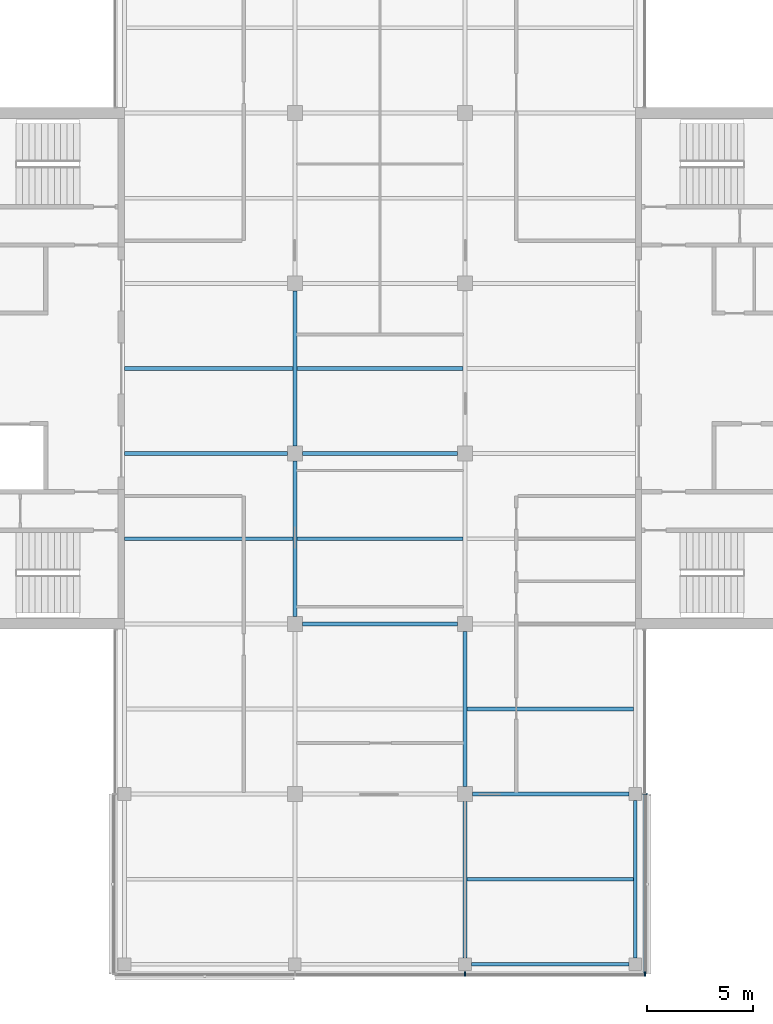
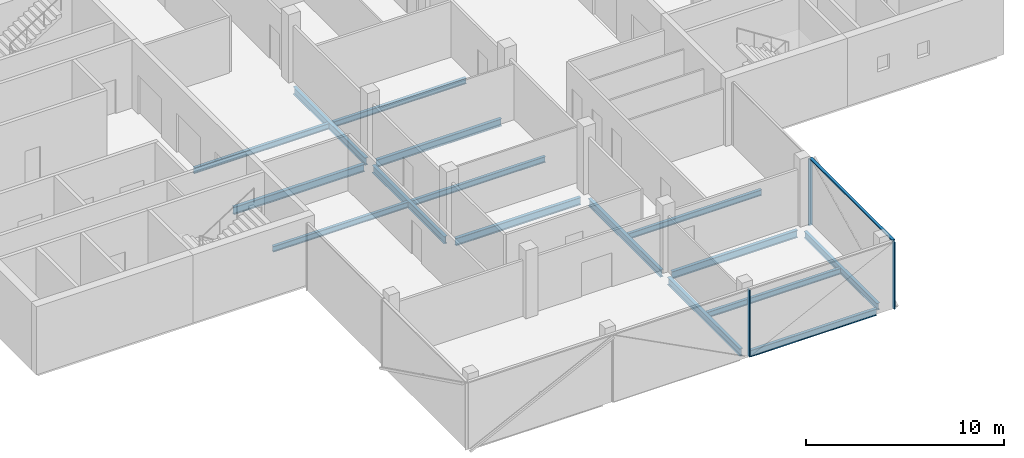
# One storey, part 3 of 15: 16 beams, 4 members, 2 elements without a shape of their own.
"""IFC4 building model written with IfcOpenShell, lengths in metres."""

from ifc_helpers import new_model, si_unit, direction, frame, origin, origin_2d, place, context, subcontext, project, spatial, rectangle, i_section, extrude, material, material_profile, profile_set, type_object, element, aggregate, save


model = new_model("IFC4")

# Units and contexts
model_context = context("Model", 3, precision=1e-05, world=origin(), true_north=direction((0.0, 1.0)))
body_context = subcontext(model_context, "Body", "Model", "MODEL_VIEW")
ifc_project = project(units=[si_unit("LENGTHUNIT", "METRE"), si_unit("AREAUNIT", "SQUARE_METRE"), si_unit("VOLUMEUNIT", "CUBIC_METRE"), si_unit("PLANEANGLEUNIT", "RADIAN"), si_unit("MASSUNIT", "GRAM", prefix="KILO")], contexts=[model_context])

# Site, building, storey
site_placement = place(None, origin())
site = spatial("IfcSite", under=ifc_project, at=site_placement, CompositionType="ELEMENT")
building_placement = place(site_placement, origin())
building = spatial("IfcBuilding", under=site, at=building_placement, Name="Crosswind Convention Tower", CompositionType="ELEMENT")
storey_placement = place(building_placement, frame((0.0, 0.0, 257.699951171875)))
storey = spatial("IfcBuildingStorey", under=building, at=storey_placement, Name="L55", CompositionType="ELEMENT", Elevation=257.699951171875)

# Beams
ifc_material_1 = material(Name="Steel S355", Category="steel")
ifc_material_profile_1 = material_profile(ifc_material_1, i_section(OverallWidth=0.177734375, OverallDepth=0.406494140625, WebThickness=0.0078125, FlangeThickness=0.0126953125, FilletRadius=0.01025390625, at=origin_2d()), Name="UB 406x178x60")
ifc_profile_set_1 = profile_set([ifc_material_profile_1], Name="Steel S355")
beam_type_1 = type_object("IfcBeamType", Name="Edge beam UB 406x178x60", PredefinedType="SPANDREL", material=ifc_profile_set_1)
for number, where, z_axis, x_axis, name in (
    (1, (129.300048828125, 72.0, -0.503173828125), (1.0, 0.0, 0.0), (0.0, 1.0, 0.0), "B15 L55 edge beam 9"),
    (2, (137.0, 72.300048828125, -0.503173828125), (0.0, 1.0, 0.0), (-1.0, 0.0, 0.0), "B15 L55 edge beam 11"),
):
    element("IfcBeam", number, at=place(storey_placement, frame(where, z_axis=z_axis, x_axis=x_axis)), inside=storey, type_object=beam_type_1, Name=name, PredefinedType="SPANDREL", context=body_context, shape_type="SweptSolid", body=[
        extrude(i_section(OverallWidth=0.177734375, OverallDepth=0.406494140625, WebThickness=0.0078125, FlangeThickness=0.0126953125, FilletRadius=0.01025390625, at=origin_2d()), origin(), (0.0, 0.0, 1.0), 7.39990234375),
    ])
ifc_material_profile_2 = material_profile(ifc_material_1, i_section(OverallWidth=0.18994140625, OverallDepth=0.45361328125, WebThickness=0.008544921875, FlangeThickness=0.0126953125, FilletRadius=0.01025390625, at=origin_2d()), Name="UB 457x191x67")
ifc_profile_set_2 = profile_set([ifc_material_profile_2], Name="Steel S355")
beam_type_2 = type_object("IfcBeamType", Name="Girder UB 457x191x67", PredefinedType="BEAM", material=ifc_profile_set_2)
for number, where, z_axis, x_axis, name in (
    (3, (121.0, 88.35009765625, -0.52685546875), (0.0, 1.0, 0.0), (-1.0, 0.0, 0.0), "B1 L55 girder 5"),
    (4, (121.0, 96.35009765625, -0.52685546875), (0.0, 1.0, 0.0), (-1.0, 0.0, 0.0), "B1 L55 girder 6"),
    (5, (121.35009765625, 88.0, -0.52685546875), (1.0, 0.0, 0.0), (0.0, 1.0, 0.0), "B1 L55 girder 11"),
    (6, (121.35009765625, 96.0, -0.52685546875), (1.0, 0.0, 0.0), (0.0, 1.0, 0.0), "B1 L55 girder 12"),
):
    element("IfcBeam", number, at=place(storey_placement, frame(where, z_axis=z_axis, x_axis=x_axis)), inside=storey, type_object=beam_type_2, Name=name, PredefinedType="BEAM", context=body_context, shape_type="SweptSolid", body=[
        extrude(i_section(OverallWidth=0.18994140625, OverallDepth=0.45361328125, WebThickness=0.008544921875, FlangeThickness=0.0126953125, FilletRadius=0.01025390625, at=origin_2d()), origin(), (0.0, 0.0, 1.0), 7.2998046875),
    ])
beam_1_placement = place(storey_placement, frame((129.0, 72.300048828125, -0.52685546875), z_axis=(0.0, 1.0, 0.0), x_axis=(-1.0, 0.0, 0.0)))
element("IfcBeam", 7, at=beam_1_placement, inside=storey, type_object=beam_type_2, Name="B1 L55 girder 16", PredefinedType="BEAM", context=body_context, shape_type="SweptSolid", body=[
    extrude(i_section(OverallWidth=0.18994140625, OverallDepth=0.45361328125, WebThickness=0.008544921875, FlangeThickness=0.0126953125, FilletRadius=0.01025390625, at=origin_2d()), origin(), (0.0, 0.0, 1.0), 7.349853515625),
])
beam_2_placement = place(storey_placement, frame((129.0, 80.35009765625, -0.52685546875), z_axis=(0.0, 1.0, 0.0), x_axis=(-1.0, 0.0, 0.0)))
element("IfcBeam", 8, at=beam_2_placement, inside=storey, type_object=beam_type_2, Name="B1 L55 girder 17", PredefinedType="BEAM", context=body_context, shape_type="SweptSolid", body=[
    extrude(i_section(OverallWidth=0.18994140625, OverallDepth=0.45361328125, WebThickness=0.008544921875, FlangeThickness=0.0126953125, FilletRadius=0.01025390625, at=origin_2d()), origin(), (0.0, 0.0, 1.0), 7.2998046875),
])
beam_3_placement = place(storey_placement, frame((129.35009765625, 80.0, -0.52685546875), z_axis=(1.0, 0.0, 0.0), x_axis=(0.0, 1.0, 0.0)))
element("IfcBeam", 9, at=beam_3_placement, inside=storey, type_object=beam_type_2, Name="B1 L55 girder 23", PredefinedType="BEAM", context=body_context, shape_type="SweptSolid", body=[
    extrude(i_section(OverallWidth=0.18994140625, OverallDepth=0.45361328125, WebThickness=0.008544921875, FlangeThickness=0.0126953125, FilletRadius=0.01025390625, at=origin_2d()), origin(), (0.0, 0.0, 1.0), 7.349853515625),
])
ifc_material_profile_3 = material_profile(ifc_material_1, i_section(OverallWidth=0.1904296875, OverallDepth=0.457275390625, WebThickness=0.009033203125, FlangeThickness=0.014404296875, FilletRadius=0.01025390625, at=origin_2d()), Name="UB 457x191x75")
ifc_profile_set_3 = profile_set([ifc_material_profile_3], Name="Steel S355")
beam_type_3 = type_object("IfcBeamType", Name="Girder at core wall UB 457x191x75", PredefinedType="BEAM", material=ifc_profile_set_3)
beam_4_placement = place(storey_placement, frame((113.0, 96.0, -0.528564453125), z_axis=(1.0, 0.0, 0.0), x_axis=(0.0, 1.0, 0.0)))
element("IfcBeam", 10, at=beam_4_placement, inside=storey, type_object=beam_type_3, Name="B22 L55 girder at core wall 2", PredefinedType="BEAM", context=body_context, shape_type="SweptSolid", body=[
    extrude(i_section(OverallWidth=0.1904296875, OverallDepth=0.457275390625, WebThickness=0.009033203125, FlangeThickness=0.014404296875, FilletRadius=0.01025390625, at=origin_2d()), origin(), (0.0, 0.0, 1.0), 7.64990234375),
])

# Curtain wall, members
ifc_material_2 = material(Name="Aluminium unitised curtain wall", Category="aluminium")
curtain_wall_type = type_object("IfcCurtainWallType", Name="OFFICE UNITISED WALL 220", PredefinedType="USERDEFINED", material=ifc_material_2)
curtain_wall_1_placement = place(storey_placement, origin())
curtain_wall_1 = element("IfcCurtainWall", 11, at=curtain_wall_1_placement, inside=storey, type_object=curtain_wall_type, Name="CW3 L55 S-TIP 1", ObjectType="UNITISED", PredefinedType="USERDEFINED")
ifc_material_3 = material(Name="Aluminium mullion", Category="aluminium")
ifc_material_profile_4 = material_profile(ifc_material_3, rectangle(XDim=0.219970703125, YDim=0.070068359375, at=origin_2d()), Name="AL 220X70")
ifc_profile_set_4 = profile_set([ifc_material_profile_4], Name="Aluminium mullion")
member_type_1 = type_object("IfcMemberType", Name="MULLION 70X220", PredefinedType="MULLION", material=ifc_profile_set_4)
member_1_placement = place(storey_placement, frame((129.0, 71.5400390625, -0.300048828125), z_axis=(0.0, 0.0, 1.0), x_axis=(0.0, -1.0, 0.0)))
member_1 = element("IfcMember", 12, at=member_1_placement, type_object=member_type_1, Name="CW3 mullion 3", PredefinedType="MULLION", context=body_context, shape_type="SweptSolid", body=[
    extrude(rectangle(XDim=0.219970703125, YDim=0.070068359375, at=origin_2d()), origin(), (0.0, 0.0, 1.0), 4.130126953125),
])
member_2_placement = place(storey_placement, frame((137.4599609375, 71.5400390625, -0.300048828125), z_axis=(0.0, 0.0, 1.0), x_axis=(0.0, -1.0, 0.0)))
member_2 = element("IfcMember", 13, at=member_2_placement, type_object=member_type_1, Name="CW3 mullion 4", PredefinedType="MULLION", context=body_context, shape_type="SweptSolid", body=[
    extrude(rectangle(XDim=0.219970703125, YDim=0.070068359375, at=origin_2d()), origin(), (0.0, 0.0, 1.0), 4.130126953125),
])
aggregate(curtain_wall_1, [member_1, member_2])

# Curtain wall, member
curtain_wall_2_placement = place(storey_placement, origin())
curtain_wall_2 = element("IfcCurtainWall", 14, at=curtain_wall_2_placement, inside=storey, type_object=curtain_wall_type, Name="CW3 L55 S-E 1", ObjectType="UNITISED", PredefinedType="USERDEFINED")
member_3_placement = place(storey_placement, frame((137.4599609375, 80.0, -0.300048828125), z_axis=(0.0, 0.0, 1.0), x_axis=(1.0, 0.0, 0.0)))
member_3 = element("IfcMember", 15, at=member_3_placement, type_object=member_type_1, Name="CW3 mullion 2", PredefinedType="MULLION", context=body_context, shape_type="SweptSolid", body=[
    extrude(rectangle(XDim=0.219970703125, YDim=0.070068359375, at=origin_2d()), origin(), (0.0, 0.0, 1.0), 4.130126953125),
])

# Beams
ifc_material_profile_5 = material_profile(ifc_material_1, i_section(OverallWidth=0.17138671875, OverallDepth=0.355712890625, WebThickness=0.00732421875, FlangeThickness=0.011474609375, FilletRadius=0.01025390625, at=origin_2d()), Name="UB 356x171x51")
ifc_profile_set_5 = profile_set([ifc_material_profile_5], Name="Steel S355")
beam_type_4 = type_object("IfcBeamType", Name="Secondary beam UB 356x171x51", PredefinedType="JOIST", material=ifc_profile_set_5)
for number, where, z_axis, x_axis, name in (
    (16, (113.0, 92.0, -0.477783203125), (1.0, 0.0, 0.0), (0.0, 1.0, 0.0), "B8 L55 secondary beam 1"),
    (17, (113.0, 100.0, -0.477783203125), (1.0, 0.0, 0.0), (0.0, 1.0, 0.0), "B8 L55 secondary beam 2"),
):
    element("IfcBeam", number, at=place(storey_placement, frame(where, z_axis=z_axis, x_axis=x_axis)), inside=storey, type_object=beam_type_4, Name=name, PredefinedType="JOIST", context=body_context, shape_type="SweptSolid", body=[
        extrude(i_section(OverallWidth=0.17138671875, OverallDepth=0.355712890625, WebThickness=0.00732421875, FlangeThickness=0.011474609375, FilletRadius=0.01025390625, at=origin_2d()), origin(), (0.0, 0.0, 1.0), 7.905029296875),
    ])
for number, where, z_axis, x_axis, name in (
    (18, (121.094970703125, 92.0, -0.477783203125), (1.0, 0.0, 0.0), (0.0, 1.0, 0.0), "B8 L55 secondary beam 10"),
    (19, (121.094970703125, 100.0, -0.477783203125), (1.0, 0.0, 0.0), (0.0, 1.0, 0.0), "B8 L55 secondary beam 11"),
):
    element("IfcBeam", number, at=place(storey_placement, frame(where, z_axis=z_axis, x_axis=x_axis)), inside=storey, type_object=beam_type_4, Name=name, PredefinedType="JOIST", context=body_context, shape_type="SweptSolid", body=[
        extrude(i_section(OverallWidth=0.17138671875, OverallDepth=0.355712890625, WebThickness=0.00732421875, FlangeThickness=0.011474609375, FilletRadius=0.01025390625, at=origin_2d()), origin(), (0.0, 0.0, 1.0), 7.81005859375),
    ])
for number, where, z_axis, x_axis, name in (
    (20, (129.094970703125, 76.0, -0.477783203125), (1.0, 0.0, 0.0), (0.0, 1.0, 0.0), "B8 L55 secondary beam 15"),
    (21, (129.094970703125, 84.0, -0.477783203125), (1.0, 0.0, 0.0), (0.0, 1.0, 0.0), "B8 L55 secondary beam 16"),
):
    element("IfcBeam", number, at=place(storey_placement, frame(where, z_axis=z_axis, x_axis=x_axis)), inside=storey, type_object=beam_type_4, Name=name, PredefinedType="JOIST", context=body_context, shape_type="SweptSolid", body=[
        extrude(i_section(OverallWidth=0.17138671875, OverallDepth=0.355712890625, WebThickness=0.00732421875, FlangeThickness=0.011474609375, FilletRadius=0.01025390625, at=origin_2d()), origin(), (0.0, 0.0, 1.0), 7.816162109375),
    ])

# Member
ifc_material_4 = material(Name="Aluminium transom", Category="aluminium")
ifc_material_profile_6 = material_profile(ifc_material_4, rectangle(XDim=0.159912109375, YDim=0.070068359375, at=origin_2d()), Name="AL 160X70")
ifc_profile_set_6 = profile_set([ifc_material_profile_6], Name="Aluminium transom")
member_type_2 = type_object("IfcMemberType", Name="TRANSOM 70X160", PredefinedType="USERDEFINED", material=ifc_profile_set_6)
member_4_placement = place(storey_placement, frame((137.4599609375, 71.574951171875, 3.864990234375), z_axis=(0.0, 1.0, 0.0), x_axis=(-1.0, 0.0, 0.0)))
member_4 = element("IfcMember", 22, at=member_4_placement, type_object=member_type_2, Name="CW3 transom", ObjectType="TRANSOM", PredefinedType="USERDEFINED", context=body_context, shape_type="SweptSolid", body=[
    extrude(rectangle(XDim=0.159912109375, YDim=0.070068359375, at=origin_2d()), origin(), (0.0, 0.0, 1.0), 8.39013671875),
])

aggregate(curtain_wall_2, [member_3, member_4])

save(model, "model.ifc")
